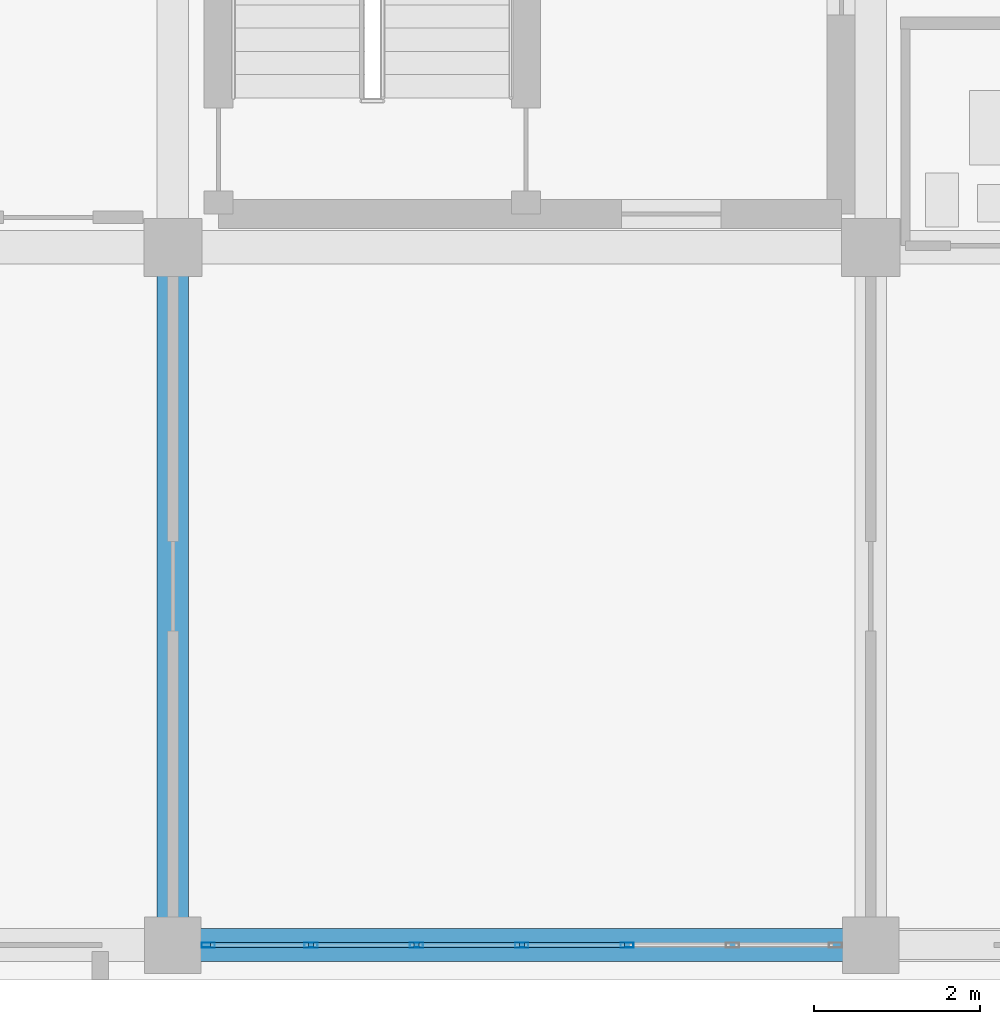
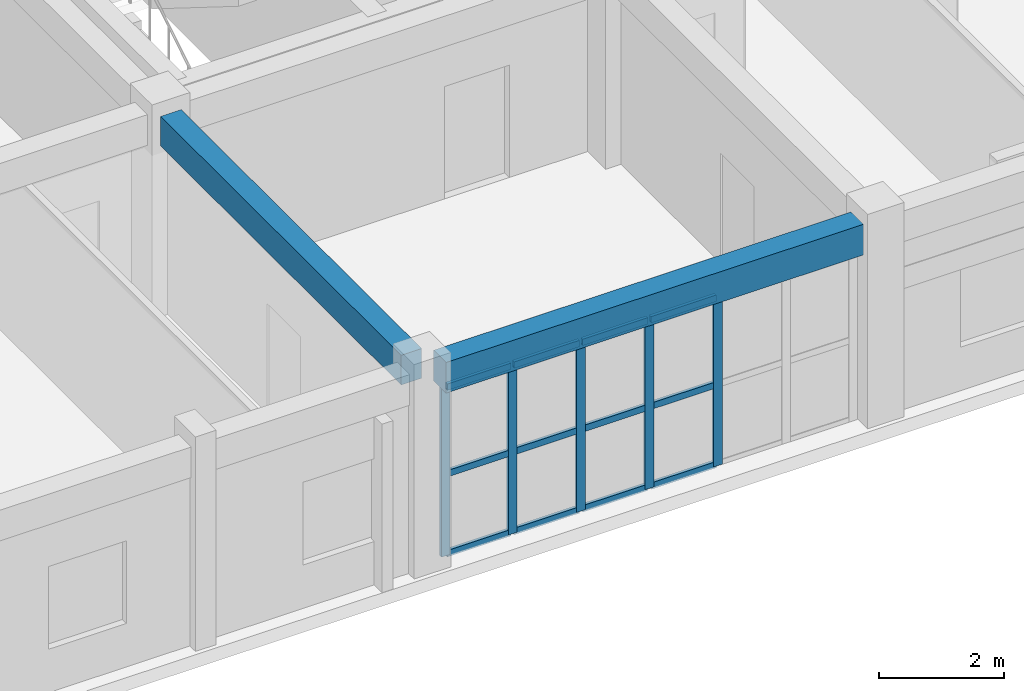
# One storey, part 12 of 140: 17 members, 2 beams, 1 element without a shape of its own.
"""IFC4 building model written with IfcOpenShell, lengths in metres."""

from ifc_helpers import new_model, si_unit, direction, frame, origin, origin_2d, place, context, subcontext, project, spatial, rectangle, hollow_rectangle, extrude, material, layer, layer_set, material_profile, profile_set, type_object, element, aggregate, save


model = new_model("IFC4")

# Units and contexts
model_context = context("Model", 3, precision=1e-05, world=origin(), true_north=direction((0.0, 1.0)))
body_context = subcontext(model_context, "Body", "Model", "MODEL_VIEW")
ifc_project = project(units=[si_unit("LENGTHUNIT", "METRE"), si_unit("AREAUNIT", "SQUARE_METRE"), si_unit("VOLUMEUNIT", "CUBIC_METRE"), si_unit("PLANEANGLEUNIT", "RADIAN"), si_unit("MASSUNIT", "GRAM", prefix="KILO")], contexts=[model_context])

# Site, building, storey
site_placement = place(None, origin())
site = spatial("IfcSite", under=ifc_project, at=site_placement, CompositionType="ELEMENT")
building_placement = place(site_placement, origin())
building = spatial("IfcBuilding", under=site, at=building_placement, Name="Trelvath General Hospital", CompositionType="ELEMENT")
storey_placement = place(building_placement, frame((0.0, 0.0, 16.199951171875)))
storey = spatial("IfcBuildingStorey", under=building, at=storey_placement, Name="L04", CompositionType="ELEMENT", Elevation=16.199951171875)

# Beams
ifc_material_1 = material(Name="Concrete C35/45", Category="concrete")
ifc_material_profile_1 = material_profile(ifc_material_1, rectangle(XDim=0.3798828125, YDim=0.580078125, at=origin_2d()), Name="RCB380x580")
ifc_profile_set_1 = profile_set([ifc_material_profile_1], Name="Concrete C35/45")
beam_type_1 = type_object("IfcBeamType", Name="Beam RC380x580", PredefinedType="BEAM", material=ifc_profile_set_1)
beam_1_placement = place(storey_placement, frame((42.0, 0.3349609375, 3.630126953125), z_axis=(0.0, 1.0, 0.0), x_axis=(-1.0, 0.0, 0.0)))
element("IfcBeam", 1, at=beam_1_placement, inside=storey, type_object=beam_type_1, Name="Grid Beam BY-405A", PredefinedType="BEAM", context=body_context, shape_type="SweptSolid", body=[
    extrude(rectangle(XDim=0.3798828125, YDim=0.580078125, at=origin_2d()), origin(), (0.0, 0.0, 1.0), 7.719970703125),
])
ifc_material_2 = material(Name="Concrete C35/45", Category="concrete")
ifc_material_profile_2 = material_profile(ifc_material_2, rectangle(XDim=0.39990234375, YDim=0.60009765625, at=origin_2d()), Name="RCB400x600")
ifc_profile_set_2 = profile_set([ifc_material_profile_2], Name="Concrete C35/45")
beam_type_2 = type_object("IfcBeamType", Name="Beam RC400x600", PredefinedType="BEAM", material=ifc_profile_set_2)
beam_2_placement = place(storey_placement, frame((42.3349609375, 0.0, 3.6201171875), z_axis=(1.0, 0.0, 0.0), x_axis=(0.0, 1.0, 0.0)))
element("IfcBeam", 2, at=beam_2_placement, inside=storey, type_object=beam_type_2, Name="Grid Beam BX-405A", PredefinedType="BEAM", context=body_context, shape_type="SweptSolid", body=[
    extrude(rectangle(XDim=0.39990234375, YDim=0.60009765625, at=origin_2d()), origin(), (0.0, 0.0, 1.0), 7.72998046875),
])

# Curtain wall, members
ifc_material_3 = material(Name="Anodised aluminium and low-E glass", Category="aluminium")
ifc_layer = layer(ifc_material_3, 0.14990234375)
ifc_layer_set = layer_set([ifc_layer], Name="Anodised aluminium and low-E glass")
curtain_wall_type = type_object("IfcCurtainWallType", Name="CW Facade 761 332 15", PredefinedType="USERDEFINED", material=ifc_layer_set)
curtain_wall_placement = place(storey_placement, origin())
curtain_wall = element("IfcCurtainWall", 3, at=curtain_wall_placement, inside=storey, type_object=curtain_wall_type, Name="Facade Curtain Wall CW-062", ObjectType="Unitised Glazed Curtain Wall", PredefinedType="USERDEFINED")
ifc_material_4 = material(Name="Anodised aluminium", Category="aluminium")
ifc_material_profile_3 = material_profile(ifc_material_4, hollow_rectangle(XDim=0.06005859375, YDim=0.159912109375, WallThickness=0.00390625, at=origin_2d()), Name="RHS60x160x4")
ifc_profile_set_3 = profile_set([ifc_material_profile_3], Name="Anodised aluminium")
member_type_1 = type_object("IfcMemberType", Name="CurtainMullion 60x160", PredefinedType="MULLION", material=ifc_profile_set_3)
member_1_placement = place(storey_placement, frame((47.46826171875, 0.0, 0.0), z_axis=(0.0, 0.0, 1.0), x_axis=(0.0, -1.0, 0.0)))
member_1 = element("IfcMember", 4, at=member_1_placement, type_object=member_type_1, Name="CW-062 mullion 3", PredefinedType="MULLION", context=body_context, shape_type="SweptSolid", body=[
    extrude(hollow_rectangle(XDim=0.06005859375, YDim=0.159912109375, WallThickness=0.00390625, at=origin_2d()), origin(), (0.0, 0.0, 1.0), 3.320068359375),
])
member_2_placement = place(storey_placement, frame((46.199951171875, 0.0, 0.0), z_axis=(0.0, 0.0, 1.0), x_axis=(0.0, -1.0, 0.0)))
member_2 = element("IfcMember", 5, at=member_2_placement, type_object=member_type_1, Name="CW-062 mullion 4", PredefinedType="MULLION", context=body_context, shape_type="SweptSolid", body=[
    extrude(hollow_rectangle(XDim=0.06005859375, YDim=0.159912109375, WallThickness=0.00390625, at=origin_2d()), origin(), (0.0, 0.0, 1.0), 3.320068359375),
])
member_3_placement = place(storey_placement, frame((44.931640625, 0.0, 0.0), z_axis=(0.0, 0.0, 1.0), x_axis=(0.0, -1.0, 0.0)))
member_3 = element("IfcMember", 6, at=member_3_placement, type_object=member_type_1, Name="CW-062 mullion 5", PredefinedType="MULLION", context=body_context, shape_type="SweptSolid", body=[
    extrude(hollow_rectangle(XDim=0.06005859375, YDim=0.159912109375, WallThickness=0.00390625, at=origin_2d()), origin(), (0.0, 0.0, 1.0), 3.320068359375),
])
member_4_placement = place(storey_placement, frame((43.663330078125, 0.0, 0.0), z_axis=(0.0, 0.0, 1.0), x_axis=(0.0, -1.0, 0.0)))
member_4 = element("IfcMember", 7, at=member_4_placement, type_object=member_type_1, Name="CW-062 mullion 6", PredefinedType="MULLION", context=body_context, shape_type="SweptSolid", body=[
    extrude(hollow_rectangle(XDim=0.06005859375, YDim=0.159912109375, WallThickness=0.00390625, at=origin_2d()), origin(), (0.0, 0.0, 1.0), 3.320068359375),
])
member_5_placement = place(storey_placement, frame((42.425048828125, 0.0, 0.0), z_axis=(0.0, 0.0, 1.0), x_axis=(0.0, -1.0, 0.0)))
member_5 = element("IfcMember", 8, at=member_5_placement, type_object=member_type_1, Name="CW-062 mullion 7", PredefinedType="MULLION", context=body_context, shape_type="SweptSolid", body=[
    extrude(hollow_rectangle(XDim=0.06005859375, YDim=0.159912109375, WallThickness=0.00390625, at=origin_2d()), origin(), (0.0, 0.0, 1.0), 3.320068359375),
])
ifc_material_5 = material(Name="Anodised aluminium", Category="aluminium")
ifc_material_profile_4 = material_profile(ifc_material_5, hollow_rectangle(XDim=0.06005859375, YDim=0.125, WallThickness=0.00390625, at=origin_2d()), Name="RHS60x125x4")
ifc_profile_set_4 = profile_set([ifc_material_profile_4], Name="Anodised aluminium")
member_type_2 = type_object("IfcMemberType", Name="CurtainTransom 60x125", PredefinedType="USERDEFINED", material=ifc_profile_set_4)
member_6_placement = place(storey_placement, frame((47.438232421875, 0.0, 0.030029296875), z_axis=(-1.0, 0.0, 0.0), x_axis=(0.0, -1.0, 0.0)))
member_6 = element("IfcMember", 9, at=member_6_placement, type_object=member_type_2, Name="CW-062 transom 3.1", ObjectType="TRANSOM", PredefinedType="USERDEFINED", context=body_context, shape_type="SweptSolid", body=[
    extrude(hollow_rectangle(XDim=0.06005859375, YDim=0.125, WallThickness=0.00390625, at=origin_2d()), origin(), (0.0, 0.0, 1.0), 1.208251953125),
])
member_7_placement = place(storey_placement, frame((47.438232421875, 0.0, 1.593994140625), z_axis=(-1.0, 0.0, 0.0), x_axis=(0.0, -1.0, 0.0)))
member_7 = element("IfcMember", 10, at=member_7_placement, type_object=member_type_2, Name="CW-062 transom 3.2", ObjectType="TRANSOM", PredefinedType="USERDEFINED", context=body_context, shape_type="SweptSolid", body=[
    extrude(hollow_rectangle(XDim=0.06005859375, YDim=0.125, WallThickness=0.00390625, at=origin_2d()), origin(), (0.0, 0.0, 1.0), 1.208251953125),
])
member_8_placement = place(storey_placement, frame((47.438232421875, 0.0, 3.2900390625), z_axis=(-1.0, 0.0, 0.0), x_axis=(0.0, -1.0, 0.0)))
member_8 = element("IfcMember", 11, at=member_8_placement, type_object=member_type_2, Name="CW-062 transom 3.3", ObjectType="TRANSOM", PredefinedType="USERDEFINED", context=body_context, shape_type="SweptSolid", body=[
    extrude(hollow_rectangle(XDim=0.06005859375, YDim=0.125, WallThickness=0.00390625, at=origin_2d()), origin(), (0.0, 0.0, 1.0), 1.208251953125),
])
member_9_placement = place(storey_placement, frame((46.169921875, 0.0, 0.030029296875), z_axis=(-1.0, 0.0, 0.0), x_axis=(0.0, -1.0, 0.0)))
member_9 = element("IfcMember", 12, at=member_9_placement, type_object=member_type_2, Name="CW-062 transom 4.1", ObjectType="TRANSOM", PredefinedType="USERDEFINED", context=body_context, shape_type="SweptSolid", body=[
    extrude(hollow_rectangle(XDim=0.06005859375, YDim=0.125, WallThickness=0.00390625, at=origin_2d()), origin(), (0.0, 0.0, 1.0), 1.208251953125),
])
member_10_placement = place(storey_placement, frame((46.169921875, 0.0, 1.593994140625), z_axis=(-1.0, 0.0, 0.0), x_axis=(0.0, -1.0, 0.0)))
member_10 = element("IfcMember", 13, at=member_10_placement, type_object=member_type_2, Name="CW-062 transom 4.2", ObjectType="TRANSOM", PredefinedType="USERDEFINED", context=body_context, shape_type="SweptSolid", body=[
    extrude(hollow_rectangle(XDim=0.06005859375, YDim=0.125, WallThickness=0.00390625, at=origin_2d()), origin(), (0.0, 0.0, 1.0), 1.208251953125),
])
member_11_placement = place(storey_placement, frame((46.169921875, 0.0, 3.2900390625), z_axis=(-1.0, 0.0, 0.0), x_axis=(0.0, -1.0, 0.0)))
member_11 = element("IfcMember", 14, at=member_11_placement, type_object=member_type_2, Name="CW-062 transom 4.3", ObjectType="TRANSOM", PredefinedType="USERDEFINED", context=body_context, shape_type="SweptSolid", body=[
    extrude(hollow_rectangle(XDim=0.06005859375, YDim=0.125, WallThickness=0.00390625, at=origin_2d()), origin(), (0.0, 0.0, 1.0), 1.208251953125),
])
member_12_placement = place(storey_placement, frame((44.901611328125, 0.0, 0.030029296875), z_axis=(-1.0, 0.0, 0.0), x_axis=(0.0, -1.0, 0.0)))
member_12 = element("IfcMember", 15, at=member_12_placement, type_object=member_type_2, Name="CW-062 transom 5.1", ObjectType="TRANSOM", PredefinedType="USERDEFINED", context=body_context, shape_type="SweptSolid", body=[
    extrude(hollow_rectangle(XDim=0.06005859375, YDim=0.125, WallThickness=0.00390625, at=origin_2d()), origin(), (0.0, 0.0, 1.0), 1.208251953125),
])
member_13_placement = place(storey_placement, frame((44.901611328125, 0.0, 1.593994140625), z_axis=(-1.0, 0.0, 0.0), x_axis=(0.0, -1.0, 0.0)))
member_13 = element("IfcMember", 16, at=member_13_placement, type_object=member_type_2, Name="CW-062 transom 5.2", ObjectType="TRANSOM", PredefinedType="USERDEFINED", context=body_context, shape_type="SweptSolid", body=[
    extrude(hollow_rectangle(XDim=0.06005859375, YDim=0.125, WallThickness=0.00390625, at=origin_2d()), origin(), (0.0, 0.0, 1.0), 1.208251953125),
])
member_14_placement = place(storey_placement, frame((44.901611328125, 0.0, 3.2900390625), z_axis=(-1.0, 0.0, 0.0), x_axis=(0.0, -1.0, 0.0)))
member_14 = element("IfcMember", 17, at=member_14_placement, type_object=member_type_2, Name="CW-062 transom 5.3", ObjectType="TRANSOM", PredefinedType="USERDEFINED", context=body_context, shape_type="SweptSolid", body=[
    extrude(hollow_rectangle(XDim=0.06005859375, YDim=0.125, WallThickness=0.00390625, at=origin_2d()), origin(), (0.0, 0.0, 1.0), 1.208251953125),
])
member_15_placement = place(storey_placement, frame((43.63330078125, 0.0, 0.030029296875), z_axis=(-1.0, 0.0, 0.0), x_axis=(0.0, -1.0, 0.0)))
member_15 = element("IfcMember", 18, at=member_15_placement, type_object=member_type_2, Name="CW-062 transom 6.1", ObjectType="TRANSOM", PredefinedType="USERDEFINED", context=body_context, shape_type="SweptSolid", body=[
    extrude(hollow_rectangle(XDim=0.06005859375, YDim=0.125, WallThickness=0.00390625, at=origin_2d()), origin(), (0.0, 0.0, 1.0), 1.17822265625),
])
member_16_placement = place(storey_placement, frame((43.63330078125, 0.0, 1.593994140625), z_axis=(-1.0, 0.0, 0.0), x_axis=(0.0, -1.0, 0.0)))
member_16 = element("IfcMember", 19, at=member_16_placement, type_object=member_type_2, Name="CW-062 transom 6.2", ObjectType="TRANSOM", PredefinedType="USERDEFINED", context=body_context, shape_type="SweptSolid", body=[
    extrude(hollow_rectangle(XDim=0.06005859375, YDim=0.125, WallThickness=0.00390625, at=origin_2d()), origin(), (0.0, 0.0, 1.0), 1.17822265625),
])
member_17_placement = place(storey_placement, frame((43.63330078125, 0.0, 3.2900390625), z_axis=(-1.0, 0.0, 0.0), x_axis=(0.0, -1.0, 0.0)))
member_17 = element("IfcMember", 20, at=member_17_placement, type_object=member_type_2, Name="CW-062 transom 6.3", ObjectType="TRANSOM", PredefinedType="USERDEFINED", context=body_context, shape_type="SweptSolid", body=[
    extrude(hollow_rectangle(XDim=0.06005859375, YDim=0.125, WallThickness=0.00390625, at=origin_2d()), origin(), (0.0, 0.0, 1.0), 1.17822265625),
])
aggregate(curtain_wall, [member_1, member_2, member_3, member_4, member_5, member_6, member_7, member_8, member_9, member_10, member_11, member_12, member_13, member_14, member_15, member_16, member_17])

save(model, "model.ifc")
